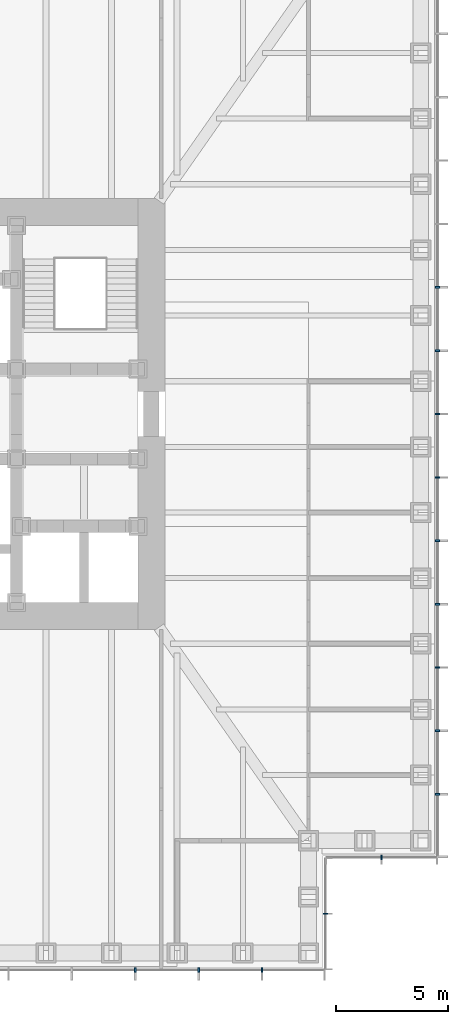
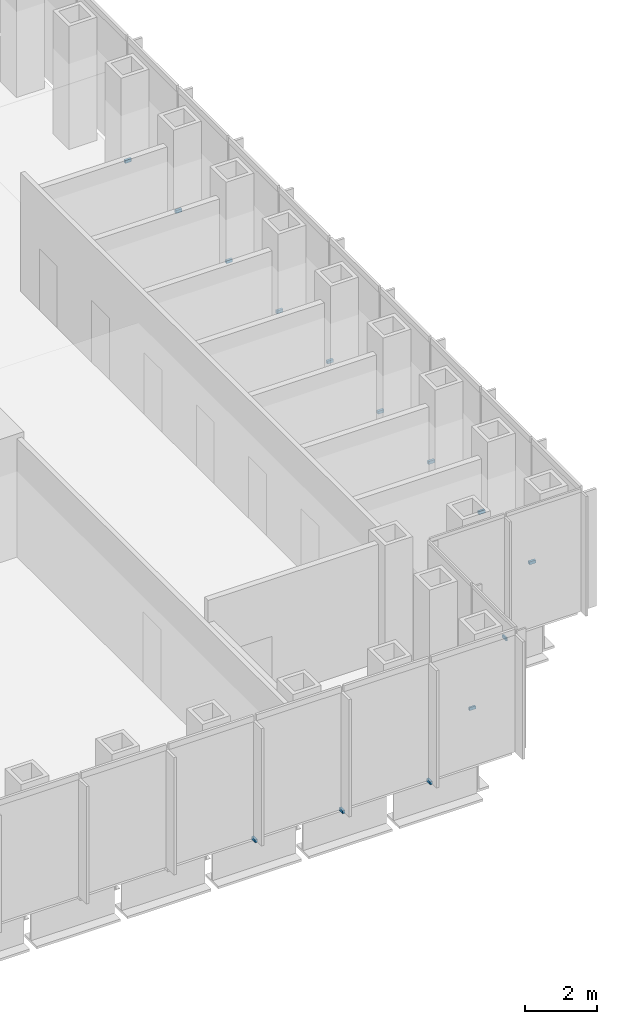
# One storey, part 13 of 16: 14 discrete accessories.
"""IFC4 building model written with IfcOpenShell, lengths in metres."""

from ifc_helpers import new_model, si_unit, direction, frame, origin, origin_2d, place, context, subcontext, project, spatial, rectangle, extrude, element, save


model = new_model("IFC4")

# Units and contexts
model_context = context("Model", 3, precision=1e-05, world=origin(), true_north=direction((0.0, 1.0)))
body_context = subcontext(model_context, "Body", "Model", "MODEL_VIEW")
ifc_project = project(units=[si_unit("LENGTHUNIT", "METRE"), si_unit("AREAUNIT", "SQUARE_METRE"), si_unit("VOLUMEUNIT", "CUBIC_METRE"), si_unit("PLANEANGLEUNIT", "RADIAN"), si_unit("MASSUNIT", "GRAM", prefix="KILO")], contexts=[model_context])

# Site, building, storey
site_placement = place(None, origin())
site = spatial("IfcSite", under=ifc_project, at=site_placement, CompositionType="ELEMENT")
building_placement = place(site_placement, origin())
building = spatial("IfcBuilding", under=site, at=building_placement, Name="Daluyong Arena Tower", CompositionType="ELEMENT")
storey_placement = place(building_placement, frame((0.0, 0.0, 76.89990234375)))
storey = spatial("IfcBuildingStorey", under=building, at=storey_placement, Name="L16", CompositionType="ELEMENT", Elevation=76.89990234375)

# Discrete accessories
for number, where, z_axis, x_axis, name in (
    (1, (67.28564453125, 55.25, -0.099853515625), (0.0, 0.0, 1.0), (1.0, 0.0, 0.0), "curtain wall L16 S anchor bracket 12"),
    (2, (70.107177734375, 55.25, -0.099853515625), (0.0, 0.0, 1.0), (1.0, 0.0, 0.0), "curtain wall L16 S anchor bracket 13"),
    (3, (72.928466796875, 55.25, -0.099853515625), (0.0, 0.0, 1.0), (1.0, 0.0, 0.0), "curtain wall L16 S anchor bracket 14"),
):
    element("IfcDiscreteAccessory", number, at=place(storey_placement, frame(where, z_axis=z_axis, x_axis=x_axis)), inside=storey, Name=name, PredefinedType="BRACKET", context=body_context, shape_type="SweptSolid", body=[
        extrude(rectangle(XDim=0.080078125, YDim=0.199951171875, at=origin_2d()), origin(), (0.0, 0.0, 1.0), 0.10009765625),
    ])
for number, where, z_axis, x_axis, name in (
    (4, (75.75, 57.75, -0.099853515625), (0.0, 0.0, 1.0), (0.0, 1.0, 0.0), "curtain wall L16 SE-E anchor bracket 2"),
    (5, (78.25, 60.25, -0.099853515625), (0.0, 0.0, 1.0), (1.0, 0.0, 0.0), "curtain wall L16 SE-S anchor bracket 2"),
):
    element("IfcDiscreteAccessory", number, at=place(storey_placement, frame(where, z_axis=z_axis, x_axis=x_axis)), inside=storey, Name=name, PredefinedType="BRACKET", context=body_context, shape_type="SweptSolid", body=[
        extrude(rectangle(XDim=0.06005859375, YDim=0.199951171875, at=origin_2d()), origin(), (0.0, 0.0, 1.0), 0.10009765625),
    ])
for number, where, z_axis, x_axis, name in (
    (6, (80.75, 63.071533203125, -0.099853515625), (0.0, 0.0, 1.0), (0.0, 1.0, 0.0), "curtain wall L16 E anchor bracket 2"),
    (7, (80.75, 65.892822265625, -0.099853515625), (0.0, 0.0, 1.0), (0.0, 1.0, 0.0), "curtain wall L16 E anchor bracket 3"),
    (8, (80.75, 68.71435546875, -0.099853515625), (0.0, 0.0, 1.0), (0.0, 1.0, 0.0), "curtain wall L16 E anchor bracket 4"),
    (9, (80.75, 71.53564453125, -0.099853515625), (0.0, 0.0, 1.0), (0.0, 1.0, 0.0), "curtain wall L16 E anchor bracket 5"),
    (10, (80.75, 74.357177734375, -0.099853515625), (0.0, 0.0, 1.0), (0.0, 1.0, 0.0), "curtain wall L16 E anchor bracket 6"),
    (11, (80.75, 77.178466796875, -0.099853515625), (0.0, 0.0, 1.0), (0.0, 1.0, 0.0), "curtain wall L16 E anchor bracket 7"),
    (12, (80.75, 80.0, -0.099853515625), (0.0, 0.0, 1.0), (0.0, 1.0, 0.0), "curtain wall L16 E anchor bracket 8"),
    (13, (80.75, 82.821533203125, -0.099853515625), (0.0, 0.0, 1.0), (0.0, 1.0, 0.0), "curtain wall L16 E anchor bracket 9"),
    (14, (80.75, 85.642822265625, -0.099853515625), (0.0, 0.0, 1.0), (0.0, 1.0, 0.0), "curtain wall L16 E anchor bracket 10"),
):
    element("IfcDiscreteAccessory", number, at=place(storey_placement, frame(where, z_axis=z_axis, x_axis=x_axis)), inside=storey, Name=name, PredefinedType="BRACKET", context=body_context, shape_type="SweptSolid", body=[
        extrude(rectangle(XDim=0.080078125, YDim=0.199951171875, at=origin_2d()), origin(), (0.0, 0.0, 1.0), 0.10009765625),
    ])

save(model, "model.ifc")
